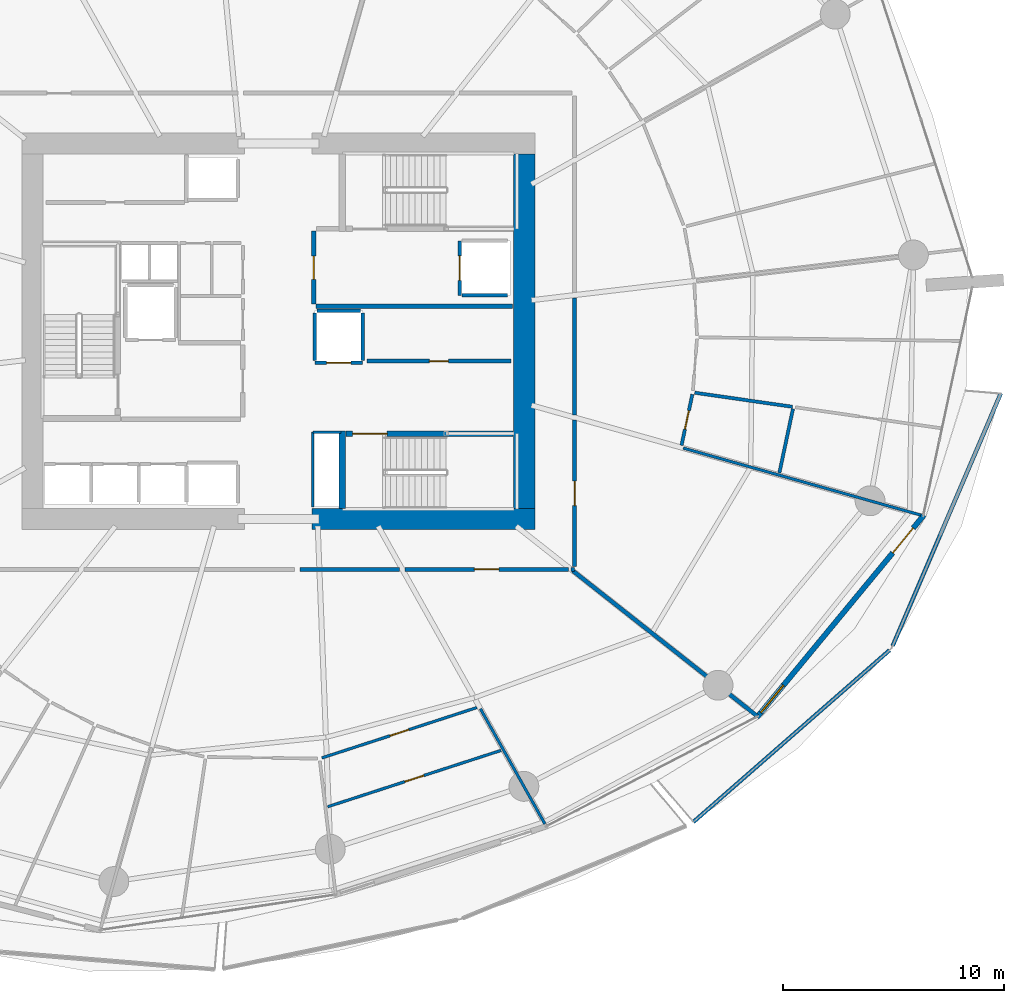
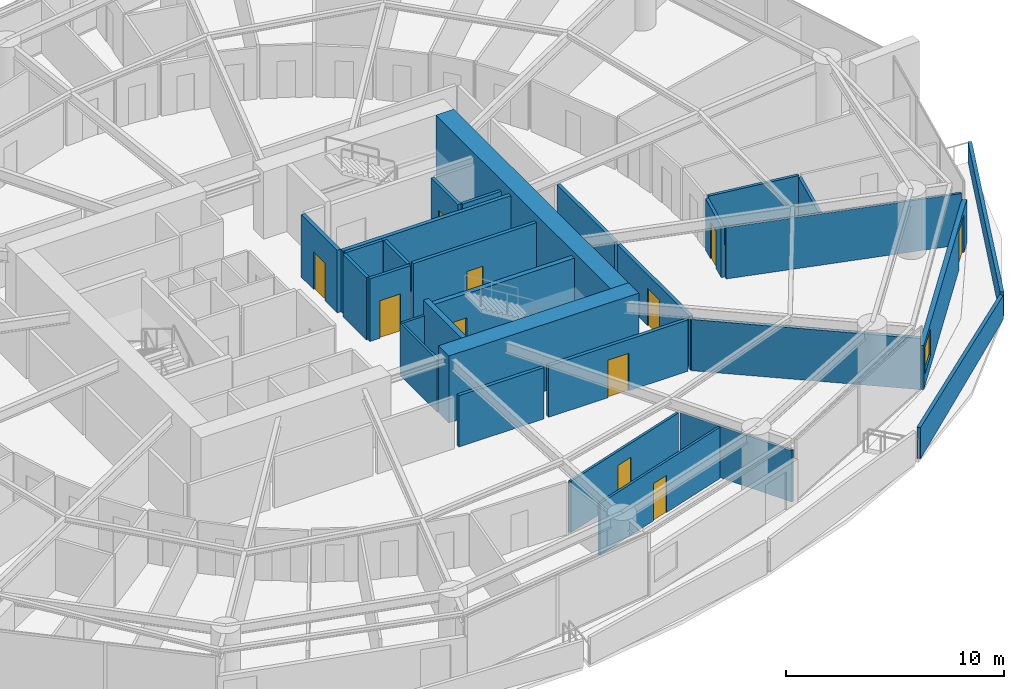
# One storey, part 21 of 31: 31 walls, 11 doors, 1 window, 12 openings.
"""IFC4 building model written with IfcOpenShell, lengths in metres."""

from ifc_helpers import new_model, si_unit, direction, frame, frame_2d, origin, place, context, subcontext, project, spatial, polyline, rectangle, outline, extrude, material, layer, layer_set, type_object, element, fill, save


model = new_model("IFC4")

# Units and contexts
model_context = context("Model", 3, precision=1e-05, world=origin(), true_north=direction((0.0, 1.0)))
body_context = subcontext(model_context, "Body", "Model", "MODEL_VIEW")
ifc_project = project(units=[si_unit("LENGTHUNIT", "METRE"), si_unit("AREAUNIT", "SQUARE_METRE"), si_unit("VOLUMEUNIT", "CUBIC_METRE"), si_unit("PLANEANGLEUNIT", "RADIAN"), si_unit("MASSUNIT", "GRAM", prefix="KILO")], contexts=[model_context])

# Site, building, storey
site_placement = place(None, origin())
site = spatial("IfcSite", under=ifc_project, at=site_placement, CompositionType="ELEMENT")
building_placement = place(site_placement, origin())
building = spatial("IfcBuilding", under=site, at=building_placement, Name="Kazma Halo Residences", CompositionType="ELEMENT")
storey_placement = place(building_placement, frame((0.0, 0.0, 41.39990234375)))
storey = spatial("IfcBuildingStorey", under=building, at=storey_placement, Name="L09", CompositionType="ELEMENT", Elevation=41.39990234375)

# Walls
ifc_material_1 = material(Name="White Concrete C50/60 Balustrade", Category="concrete")
ifc_layer_1 = layer(ifc_material_1, 0.179931640625)
ifc_layer_set_1 = layer_set([ifc_layer_1], Name="White Concrete C50/60 Balustrade")
wall_type_1 = type_object("IfcWallType", Name="WL-BAL-WAVE-180", PredefinedType="PARAPET", material=ifc_layer_set_1)
wall_1_placement = place(storey_placement, frame((67.162841796875, 19.8388671875, 0.0), z_axis=(0.0, 0.0, 1.0), x_axis=(0.752310783683, 0.658808382426, 0.0)))
element("IfcWall", 1, at=wall_1_placement, inside=storey, type_object=wall_type_1, Name="L09 white wave balustrade wall SE.1", PredefinedType="PARAPET", context=body_context, shape_type="SweptSolid", body=[
    extrude(outline(polyline([(0.0, 0.0), (11.77587890625, 0.0), (11.77587890625, 1.34814453125), (5.887939453125, 1.56201171875), (0.0, 1.7470703125), (0.0, 0.0)])), frame((0.0, 0.08984375, 0.0), z_axis=(0.0, -1.0, 0.0), x_axis=(1.0, 0.0, 0.0)), (0.0, 0.0, 1.0), 0.179931640625),
])
wall_2_placement = place(storey_placement, frame((76.159423828125, 27.786376953125, 0.0), z_axis=(0.0, 0.0, 1.0), x_axis=(0.393762615554, 0.919212164079, 0.0)))
element("IfcWall", 2, at=wall_2_placement, inside=storey, type_object=wall_type_1, Name="L09 white wave balustrade wall SE.2", PredefinedType="PARAPET", context=body_context, shape_type="SweptSolid", body=[
    extrude(outline(polyline([(0.0, 0.0), (12.412109375, 0.0), (12.412109375, 1.1201171875), (6.2060546875, 1.18212890625), (0.0, 1.34814453125), (0.0, 0.0)])), frame((0.0, 0.08984375, 0.0), z_axis=(0.0, -1.0, 0.0), x_axis=(1.0, 0.0, 0.0)), (0.0, 0.0, 1.0), 0.179931640625),
])
ifc_material_2 = material(Name="Concrete C80/95", Category="concrete")
ifc_layer_2 = layer(ifc_material_2, 0.949951171875)
ifc_layer_set_2 = layer_set([ifc_layer_2], Name="Concrete C80/95")
wall_type_2 = type_object("IfcWallType", Name="WL-CORE-950", PredefinedType="SHEAR", material=ifc_layer_set_2)
wall_3_placement = place(storey_placement, frame((49.949951171875, 33.52490234375, 0.0), z_axis=(0.0, 0.0, 1.0), x_axis=(1.0, 0.0, 0.0)))
element("IfcWall", 3, at=wall_3_placement, inside=storey, type_object=wall_type_2, Name="L09 central core shear wall SE", PredefinedType="SHEAR", context=body_context, shape_type="SweptSolid", body=[
    extrude(rectangle(XDim=10.050048828125, YDim=0.949951171875, at=frame_2d((5.02490234375, 0.0))), origin(), (0.0, 0.0, 1.0), 3.75),
])
wall_4_placement = place(storey_placement, frame((59.52490234375, 34.0, 0.0), z_axis=(0.0, 0.0, 1.0), x_axis=(0.0, 1.0, 0.0)))
element("IfcWall", 4, at=wall_4_placement, inside=storey, type_object=wall_type_2, Name="L09 central core shear wall E", PredefinedType="SHEAR", context=body_context, shape_type="SweptSolid", body=[
    extrude(rectangle(XDim=16.0, YDim=0.949951171875, at=frame_2d((8.0, 0.0))), origin(), (0.0, 0.0, 1.0), 3.75),
])
ifc_material_3 = material(Name="Concrete C60/75", Category="concrete")
ifc_layer_3 = layer(ifc_material_3, 0.280029296875)
ifc_layer_set_3 = layer_set([ifc_layer_3], Name="Concrete C60/75")
wall_type_3 = type_object("IfcWallType", Name="WL-CORE-ST-280", PredefinedType="SHEAR", material=ifc_layer_set_3)
wall_5_placement = place(storey_placement, frame((51.31005859375, 34.0, 0.0), z_axis=(0.0, 0.0, 1.0), x_axis=(0.0, 1.0, 0.0)))
element("IfcWall", 5, at=wall_5_placement, inside=storey, type_object=wall_type_3, Name="L09 stairwell bearing wall ST03-W", PredefinedType="SHEAR", context=body_context, shape_type="SweptSolid", body=[
    extrude(rectangle(XDim=3.5, YDim=0.280029296875, at=frame_2d((1.75, 0.0))), origin(), (0.0, 0.0, 1.0), 3.75),
])
ifc_material_4 = material(Name="Acoustic Twin-Stud Gypsum")
ifc_layer_4 = layer(ifc_material_4, 0.179931640625)
ifc_layer_set_4 = layer_set([ifc_layer_4], Name="Acoustic Twin-Stud Gypsum")
wall_type_4 = type_object("IfcWallType", Name="WL-DEM-180", PredefinedType="PARTITIONING", material=ifc_layer_set_4)
wall_6_placement = place(storey_placement, frame((61.72265625, 31.181884765625, 0.0), z_axis=(0.0, 0.0, 1.0), x_axis=(0.785321288316, -0.619088421889, 0.0)))
element("IfcWall", 6, at=wall_6_placement, inside=storey, type_object=wall_type_4, Name="L09 apartment demising radial wall 13", PredefinedType="PARTITIONING", context=body_context, shape_type="SweptSolid", body=[
    extrude(rectangle(XDim=10.597900390625, YDim=0.179931640625, at=frame_2d((5.298828125, 0.0))), origin(), (0.0, 0.0, 1.0), 2.8671875),
])

# Wall, opening, door
wall_7_placement = place(storey_placement, frame((54.140380859375, 31.25, 0.0), z_axis=(0.0, 0.0, 1.0), x_axis=(1.0, 0.0, 0.0)))
wall_7 = element("IfcWall", 7, at=wall_7_placement, inside=storey, type_object=wall_type_4, Name="L09 Apartment 2 entrance corridor wall", PredefinedType="PARTITIONING", context=body_context, shape_type="SweptSolid", body=[
    extrude(rectangle(XDim=7.3759765625, YDim=0.179931640625, at=frame_2d((3.68798828125, 0.0))), origin(), (0.0, 0.0, 1.0), 2.8671875),
])
opening_1_placement = place(wall_7_placement, frame((3.137939453125, 0.0, 0.0)))
opening_1 = element("IfcOpeningElement", 8, at=opening_1_placement, cuts=wall_7, Name="Opening DA-1100", PredefinedType="OPENING", context=body_context, shape_type="SweptSolid", body=[
    extrude(rectangle(XDim=1.10009765625, YDim=2.10009765625, at=frame_2d((0.550048828125, 1.050048828125))), frame((0.0, 0.099853515625, 0.0), z_axis=(0.0, -1.0, 0.0), x_axis=(1.0, 0.0, 0.0)), (0.0, 0.0, 1.0), 0.199951171875),
])
ifc_material_5 = material(Name="Acoustic Walnut Fire Leaf")
door_type_1 = type_object("IfcDoorType", Name="DR-FD60-1100", OperationType="NOTDEFINED", PredefinedType="DOOR", material=ifc_material_5)
door_1_placement = place(opening_1_placement, origin())
door_1 = element("IfcDoor", 9, at=door_1_placement, inside=storey, type_object=door_type_1, Name="L09 Apartment 2 entrance fire door", OperationType="SINGLE_SWING_RIGHT", OverallHeight=2.10009765625, OverallWidth=1.10009765625, PredefinedType="DOOR", context=body_context, shape_type="SweptSolid", body=[
    extrude(rectangle(XDim=1.10009765625, YDim=2.10009765625, at=frame_2d((0.550048828125, 1.050048828125))), frame((0.0, 0.02490234375, 0.0), z_axis=(0.0, -1.0, 0.0), x_axis=(1.0, 0.0, 0.0)), (0.0, 0.0, 1.0), 0.050048828125),
])
fill(opening_1, door_1)

# Walls
wall_8_placement = place(storey_placement, frame((49.392333984375, 31.25, 0.0), z_axis=(0.0, 0.0, 1.0), x_axis=(1.0, 0.0, 0.0)))
element("IfcWall", 10, at=wall_8_placement, inside=storey, type_object=wall_type_4, Name="L09 Apartment 2 inner wall 11", PredefinedType="PARTITIONING", context=body_context, shape_type="SweptSolid", body=[
    extrude(rectangle(XDim=4.508056640625, YDim=0.179931640625, at=frame_2d((2.25390625, 0.0))), origin(), (0.0, 0.0, 1.0), 2.8671875),
])
wall_9_placement = place(storey_placement, frame((61.63623046875, 31.25, 0.0), z_axis=(0.0, 0.0, 1.0), x_axis=(1.0, 0.0, 0.0)))
element("IfcWall", 11, at=wall_9_placement, inside=storey, type_object=wall_type_4, Name="L09 Apartment 3 entrance corridor wall", PredefinedType="PARTITIONING", context=body_context, shape_type="SweptSolid", body=[
    extrude(rectangle(XDim=0.163818359375, YDim=0.179931640625, at=frame_2d((0.08203125, 0.0))), origin(), (0.0, 0.0, 1.0), 2.8671875),
])

# Wall, opening, door
wall_10_placement = place(storey_placement, frame((61.800048828125, 31.3701171875, 0.0), z_axis=(0.0, 0.0, 1.0), x_axis=(0.0, 1.0, 0.0)))
wall_10 = element("IfcWall", 12, at=wall_10_placement, inside=storey, type_object=wall_type_4, Name="L09 Apartment 3 entrance corridor wall", PredefinedType="PARTITIONING", context=body_context, shape_type="SweptSolid", body=[
    extrude(rectangle(XDim=6.617919921875, YDim=0.179931640625, at=frame_2d((3.30908203125, 0.0))), origin(), (0.0, 0.0, 1.0), 2.8671875),
])
opening_2_placement = place(wall_10_placement, frame((2.759033203125, 0.0, 0.0)))
opening_2 = element("IfcOpeningElement", 13, at=opening_2_placement, cuts=wall_10, Name="Opening DA-1100", PredefinedType="OPENING", context=body_context, shape_type="SweptSolid", body=[
    extrude(rectangle(XDim=1.10009765625, YDim=2.10009765625, at=frame_2d((0.550048828125, 1.050048828125))), frame((0.0, 0.099853515625, 0.0), z_axis=(0.0, -1.0, 0.0), x_axis=(1.0, 0.0, 0.0)), (0.0, 0.0, 1.0), 0.199951171875),
])
door_2_placement = place(opening_2_placement, origin())
door_2 = element("IfcDoor", 14, at=door_2_placement, inside=storey, type_object=door_type_1, Name="L09 Apartment 3 entrance fire door", OperationType="SINGLE_SWING_LEFT", OverallHeight=2.10009765625, OverallWidth=1.10009765625, PredefinedType="DOOR", context=body_context, shape_type="SweptSolid", body=[
    extrude(rectangle(XDim=1.10009765625, YDim=2.10009765625, at=frame_2d((0.550048828125, 1.050048828125))), frame((0.0, 0.02490234375, 0.0), z_axis=(0.0, -1.0, 0.0), x_axis=(1.0, 0.0, 0.0)), (0.0, 0.0, 1.0), 0.050048828125),
])
fill(opening_2, door_2)

# Wall
wall_11_placement = place(storey_placement, frame((61.800048828125, 38.22802734375, 0.0), z_axis=(0.0, 0.0, 1.0), x_axis=(0.0, 1.0, 0.0)))
element("IfcWall", 15, at=wall_11_placement, inside=storey, type_object=wall_type_4, Name="L09 Apartment 3 inner wall 14", PredefinedType="PARTITIONING", context=body_context, shape_type="SweptSolid", body=[
    extrude(rectangle(XDim=5.28515625, YDim=0.179931640625, at=frame_2d((2.642578125, 0.0))), origin(), (0.0, 0.0, 1.0), 2.8671875),
])

# Wall, openings, door, window
ifc_material_6 = material(Name="Insulated Pale-Metal Composite Wall")
ifc_layer_5 = layer(ifc_material_6, 0.239990234375)
ifc_layer_set_5 = layer_set([ifc_layer_5], Name="Insulated Pale-Metal Composite Wall")
wall_type_5 = type_object("IfcWallType", Name="WL-EXT-HOST-240", PredefinedType="SOLIDWALL", material=ifc_layer_set_5)
wall_12_placement = place(storey_placement, frame((70.033203125, 24.566650390625, 0.0), z_axis=(0.0, 0.0, 1.0), x_axis=(0.636674332663, 0.771132799281, 0.0)))
wall_12 = element("IfcWall", 16, at=wall_12_placement, inside=storey, type_object=wall_type_5, Name="L09 exterior terrace-access wall B14", PredefinedType="SOLIDWALL", context=body_context, shape_type="SweptSolid", body=[
    extrude(rectangle(XDim=11.851318359375, YDim=0.239990234375, at=frame_2d((5.92578125, 0.0))), origin(), (0.0, 0.0, 1.0), 2.4501953125),
])
opening_3_placement = place(wall_12_placement, frame((9.631103515625, 0.0, 0.0)))
opening_3 = element("IfcOpeningElement", 17, at=opening_3_placement, cuts=wall_12, Name="Opening DTR-1600", PredefinedType="OPENING", context=body_context, shape_type="SweptSolid", body=[
    extrude(rectangle(XDim=1.449951171875, YDim=2.14990234375, at=frame_2d((0.72509765625, 1.074951171875))), frame((0.0, 0.1298828125, 0.0), z_axis=(0.0, -1.0, 0.0), x_axis=(1.0, 0.0, 0.0)), (0.0, 0.0, 1.0), 0.260009765625),
])
opening_4_placement = place(wall_12_placement, frame((0.280029296875, 0.0, 0.64990234375)))
opening_4 = element("IfcOpeningElement", 18, at=opening_4_placement, cuts=wall_12, Name="Opening W-1800", PredefinedType="OPENING", context=body_context, shape_type="SweptSolid", body=[
    extrude(rectangle(XDim=1.60009765625, YDim=1.5, at=frame_2d((0.800048828125, 0.75))), frame((0.0, 0.1298828125, 0.0), z_axis=(0.0, -1.0, 0.0), x_axis=(1.0, 0.0, 0.0)), (0.0, 0.0, 1.0), 0.260009765625),
])
ifc_material_7 = material(Name="Aluminium AW-6063 T6 Double-Glazed Terrace Door", Category="aluminium")
door_type_2 = type_object("IfcDoorType", Name="DR-EXT-TERR-1600", OperationType="NOTDEFINED", PredefinedType="DOOR", material=ifc_material_7)
door_3_placement = place(opening_3_placement, origin())
door_3 = element("IfcDoor", 19, at=door_3_placement, inside=storey, type_object=door_type_2, Name="L09 B14 balcony terrace door", OperationType="DOUBLE_DOOR_SLIDING", OverallHeight=2.14990234375, OverallWidth=1.449951171875, PredefinedType="DOOR", context=body_context, shape_type="SweptSolid", body=[
    extrude(rectangle(XDim=1.449951171875, YDim=2.14990234375, at=frame_2d((0.72509765625, 1.074951171875))), frame((0.0, 0.02490234375, 0.0), z_axis=(0.0, -1.0, 0.0), x_axis=(1.0, 0.0, 0.0)), (0.0, 0.0, 1.0), 0.050048828125),
])
fill(opening_3, door_3)
ifc_material_8 = material(Name="Clear Triple-Silver Low-E Glass in Aluminium AW-6063 T6 Frame", Category="aluminium")
window_type = type_object("IfcWindowType", Name="WIN-RES-1800", PartitioningType="DOUBLE_PANEL_VERTICAL", PredefinedType="WINDOW", material=ifc_material_8)
window_placement = place(opening_4_placement, origin())
window = element("IfcWindow", 20, at=window_placement, inside=storey, type_object=window_type, Name="L09 B14 apartment window", OverallHeight=1.5, OverallWidth=1.60009765625, PartitioningType="SINGLE_PANEL", PredefinedType="WINDOW", context=body_context, shape_type="SweptSolid", body=[
    extrude(rectangle(XDim=1.60009765625, YDim=1.5, at=frame_2d((0.800048828125, 0.75))), frame((0.0, 0.030029296875, 0.0), z_axis=(0.0, -1.0, 0.0), x_axis=(1.0, 0.0, 0.0)), (0.0, 0.0, 1.0), 0.06005859375),
])
fill(opening_4, window)

# Wall, opening, door
ifc_material_9 = material(Name="Fire-Rated Blockwork Masonry", Category="masonry")
ifc_layer_6 = layer(ifc_material_9, 0.199951171875)
ifc_layer_set_6 = layer_set([ifc_layer_6], Name="Fire-Rated Blockwork Masonry")
wall_type_6 = type_object("IfcWallType", Name="WL-FLB-200", PredefinedType="PARTITIONING", material=ifc_layer_set_6)
wall_13_placement = place(storey_placement, frame((56.6201171875, 46.080078125, 0.0), z_axis=(0.0, 0.0, 1.0), x_axis=(0.0, -1.0, 0.0)))
wall_13 = element("IfcWall", 21, at=wall_13_placement, inside=storey, type_object=wall_type_6, Name="L09 lift shaft FL-02 front wall", PredefinedType="PARTITIONING", context=body_context, shape_type="SweptSolid", body=[
    extrude(rectangle(XDim=2.4599609375, YDim=0.159912109375, at=frame_2d((1.22998046875, 0.0))), origin(), (0.0, 0.0, 1.0), 3.5),
])
opening_5_placement = place(wall_13_placement, frame((0.679931640625, 0.0, 0.0)))
opening_5 = element("IfcOpeningElement", 22, at=opening_5_placement, cuts=wall_13, Name="Opening LD-FL-02", PredefinedType="OPENING", context=body_context, shape_type="SweptSolid", body=[
    extrude(rectangle(XDim=1.10009765625, YDim=2.10009765625, at=frame_2d((0.550048828125, 1.050048828125))), frame((0.0, 0.08984375, 0.0), z_axis=(0.0, -1.0, 0.0), x_axis=(1.0, 0.0, 0.0)), (0.0, 0.0, 1.0), 0.179931640625),
])
ifc_material_10 = material(Name="Stainless Steel Fire-Rated", Category="steel")
door_type_3 = type_object("IfcDoorType", Name="DR-LIFT-SLD-1100", OperationType="DOUBLE_DOOR_SLIDING", PredefinedType="DOOR", material=ifc_material_10)
door_4_placement = place(opening_5_placement, origin())
door_4 = element("IfcDoor", 23, at=door_4_placement, inside=storey, type_object=door_type_3, Name="L09 lift FL-02 sliding landing door", OperationType="DOUBLE_DOOR_SLIDING", OverallHeight=2.10009765625, OverallWidth=1.10009765625, PredefinedType="DOOR", context=body_context, shape_type="SweptSolid", body=[
    extrude(rectangle(XDim=1.10009765625, YDim=2.10009765625, at=frame_2d((0.550048828125, 1.050048828125))), frame((0.0, 0.02490234375, 0.0), z_axis=(0.0, -1.0, 0.0), x_axis=(1.0, 0.0, 0.0)), (0.0, 0.0, 1.0), 0.050048828125),
])
fill(opening_5, door_4)

# Wall
wall_14_placement = place(storey_placement, frame((56.719970703125, 43.6201171875, 0.0), z_axis=(0.0, 0.0, 1.0), x_axis=(1.0, 0.0, 0.0)))
element("IfcWall", 24, at=wall_14_placement, inside=storey, type_object=wall_type_6, Name="L09 lift shaft FL-02 side wall S", PredefinedType="PARTITIONING", context=body_context, shape_type="SweptSolid", body=[
    extrude(rectangle(XDim=2.06005859375, YDim=0.159912109375, at=frame_2d((1.030029296875, 0.0))), origin(), (0.0, 0.0, 1.0), 3.5),
])

# Wall, opening, door
wall_15_placement = place(storey_placement, frame((52.22998046875, 40.570068359375, 0.0), z_axis=(0.0, 0.0, 1.0), x_axis=(-1.0, 0.0, 0.0)))
wall_15 = element("IfcWall", 25, at=wall_15_placement, inside=storey, type_object=wall_type_6, Name="L09 lift shaft SV-01 front wall", PredefinedType="PARTITIONING", context=body_context, shape_type="SweptSolid", body=[
    extrude(rectangle(XDim=2.159912109375, YDim=0.159912109375, at=frame_2d((1.080078125, 0.0))), origin(), (0.0, 0.0, 1.0), 3.5),
])
opening_6_placement = place(wall_15_placement, frame((0.530029296875, 0.0, 0.0)))
opening_6 = element("IfcOpeningElement", 26, at=opening_6_placement, cuts=wall_15, Name="Opening LD-SV-01", PredefinedType="OPENING", context=body_context, shape_type="SweptSolid", body=[
    extrude(rectangle(XDim=1.10009765625, YDim=2.10009765625, at=frame_2d((0.550048828125, 1.050048828125))), frame((0.0, 0.08984375, 0.0), z_axis=(0.0, -1.0, 0.0), x_axis=(1.0, 0.0, 0.0)), (0.0, 0.0, 1.0), 0.179931640625),
])
door_5_placement = place(opening_6_placement, origin())
door_5 = element("IfcDoor", 27, at=door_5_placement, inside=storey, type_object=door_type_3, Name="L09 lift SV-01 sliding landing door", OperationType="DOUBLE_DOOR_SLIDING", OverallHeight=2.10009765625, OverallWidth=1.10009765625, PredefinedType="DOOR", context=body_context, shape_type="SweptSolid", body=[
    extrude(rectangle(XDim=1.10009765625, YDim=2.10009765625, at=frame_2d((0.550048828125, 1.050048828125))), frame((0.0, 0.02490234375, 0.0), z_axis=(0.0, -1.0, 0.0), x_axis=(1.0, 0.0, 0.0)), (0.0, 0.0, 1.0), 0.050048828125),
])
fill(opening_6, door_5)

# Walls
for number, where, z_axis, x_axis, name in (
    (28, (52.22998046875, 40.669921875, 0.0), (0.0, 0.0, 1.0), (0.0, 1.0, 0.0), "L09 lift shaft SV-01 side wall E"),
    (29, (50.070068359375, 40.669921875, 0.0), (0.0, 0.0, 1.0), (0.0, 1.0, 0.0), "L09 lift shaft SV-01 side wall W"),
):
    element("IfcWall", number, at=place(storey_placement, frame(where, z_axis=z_axis, x_axis=x_axis)), inside=storey, type_object=wall_type_6, Name=name, PredefinedType="PARTITIONING", context=body_context, shape_type="SweptSolid", body=[
        extrude(rectangle(XDim=2.16015625, YDim=0.159912109375, at=frame_2d((1.080078125, 0.0))), origin(), (0.0, 0.0, 1.0), 3.5),
    ])
wall_16_placement = place(storey_placement, frame((50.169921875, 42.929931640625, 0.0), z_axis=(0.0, 0.0, 1.0), x_axis=(1.0, 0.0, 0.0)))
element("IfcWall", 30, at=wall_16_placement, inside=storey, type_object=wall_type_6, Name="L09 lift shaft SV-01 side wall N", PredefinedType="PARTITIONING", context=body_context, shape_type="SweptSolid", body=[
    extrude(rectangle(XDim=1.9599609375, YDim=0.159912109375, at=frame_2d((0.97998046875, 0.0))), origin(), (0.0, 0.0, 1.0), 3.5),
])

# Wall, opening, door
wall_17_placement = place(storey_placement, frame((52.419921875, 40.64990234375, 0.0), z_axis=(0.0, 0.0, 1.0), x_axis=(1.0, 0.0, 0.0)))
wall_17 = element("IfcWall", 31, at=wall_17_placement, inside=storey, type_object=wall_type_6, Name="L09 core east reserve wall", PredefinedType="PARTITIONING", context=body_context, shape_type="SweptSolid", body=[
    extrude(rectangle(XDim=6.5, YDim=0.179931640625, at=frame_2d((3.25, 0.0))), origin(), (0.0, 0.0, 1.0), 3.5),
])
opening_7_placement = place(wall_17_placement, frame((2.824951171875, 0.0, 0.0)))
opening_7 = element("IfcOpeningElement", 32, at=opening_7_placement, cuts=wall_17, Name="Opening DS-850", PredefinedType="OPENING", context=body_context, shape_type="SweptSolid", body=[
    extrude(rectangle(XDim=0.85009765625, YDim=2.06005859375, at=frame_2d((0.425048828125, 1.030029296875))), frame((0.0, 0.099853515625, 0.0), z_axis=(0.0, -1.0, 0.0), x_axis=(1.0, 0.0, 0.0)), (0.0, 0.0, 1.0), 0.199951171875),
])
ifc_material_11 = material(Name="Painted Steel Access Leaf", Category="steel")
door_type_4 = type_object("IfcDoorType", Name="DR-SVC-850", OperationType="NOTDEFINED", PredefinedType="DOOR", material=ifc_material_11)
door_6_placement = place(opening_7_placement, origin())
door_6 = element("IfcDoor", 33, at=door_6_placement, inside=storey, type_object=door_type_4, Name="L09 core east reserve door", OperationType="SINGLE_SWING_RIGHT", OverallHeight=2.06005859375, OverallWidth=0.85009765625, PredefinedType="DOOR", context=body_context, shape_type="SweptSolid", body=[
    extrude(rectangle(XDim=0.85009765625, YDim=2.06005859375, at=frame_2d((0.425048828125, 1.030029296875))), frame((0.0, 0.02490234375, 0.0), z_axis=(0.0, -1.0, 0.0), x_axis=(1.0, 0.0, 0.0)), (0.0, 0.0, 1.0), 0.050048828125),
])
fill(opening_7, door_6)

# Wall
wall_18_placement = place(storey_placement, frame((50.1201171875, 43.1201171875, 0.0), z_axis=(0.0, 0.0, 1.0), x_axis=(1.0, 0.0, 0.0)))
element("IfcWall", 34, at=wall_18_placement, inside=storey, type_object=wall_type_6, Name="L09 east firefighting lobby south smoke wall", PredefinedType="PARTITIONING", context=body_context, shape_type="SweptSolid", body=[
    extrude(rectangle(XDim=8.8798828125, YDim=0.199951171875, at=frame_2d((4.43994140625, 0.0))), origin(), (0.0, 0.0, 1.0), 3.5),
])

# Wall, opening, door
wall_19_placement = place(storey_placement, frame((50.02001953125, 43.219970703125, 0.0), z_axis=(0.0, 0.0, 1.0), x_axis=(0.0, 1.0, 0.0)))
wall_19 = element("IfcWall", 35, at=wall_19_placement, inside=storey, type_object=wall_type_6, Name="L09 east firefighting lobby smoke wall", PredefinedType="PARTITIONING", context=body_context, shape_type="SweptSolid", body=[
    extrude(rectangle(XDim=3.300048828125, YDim=0.199951171875, at=frame_2d((1.64990234375, 0.0))), origin(), (0.0, 0.0, 1.0), 3.5),
])
opening_8_placement = place(wall_19_placement, frame((1.125, 0.0, 0.0)))
opening_8 = element("IfcOpeningElement", 36, at=opening_8_placement, cuts=wall_19, Name="Opening D-FLE", PredefinedType="OPENING", context=body_context, shape_type="SweptSolid", body=[
    extrude(rectangle(XDim=1.050048828125, YDim=2.10009765625, at=frame_2d((0.52490234375, 1.050048828125))), frame((0.0, 0.10986328125, 0.0), z_axis=(0.0, -1.0, 0.0), x_axis=(1.0, 0.0, 0.0)), (0.0, 0.0, 1.0), 0.219970703125),
])
ifc_material_12 = material(Name="Fire-Rated Steel Leaf", Category="steel")
door_type_5 = type_object("IfcDoorType", Name="DR-FD90-1050", OperationType="NOTDEFINED", PredefinedType="DOOR", material=ifc_material_12)
door_7_placement = place(opening_8_placement, origin())
door_7 = element("IfcDoor", 37, at=door_7_placement, inside=storey, type_object=door_type_5, Name="L09 east firefighting lobby smoke door", OperationType="SINGLE_SWING_LEFT", OverallHeight=2.10009765625, OverallWidth=1.050048828125, PredefinedType="DOOR", context=body_context, shape_type="SweptSolid", body=[
    extrude(rectangle(XDim=1.050048828125, YDim=2.10009765625, at=frame_2d((0.52490234375, 1.050048828125))), frame((0.0, 0.02490234375, 0.0), z_axis=(0.0, -1.0, 0.0), x_axis=(1.0, 0.0, 0.0)), (0.0, 0.0, 1.0), 0.050048828125),
])
fill(opening_8, door_7)

# Walls
ifc_material_13 = material(Name="Gypsum Plasterboard Partition")
ifc_layer_7 = layer(ifc_material_13, 0.125)
ifc_layer_set_7 = layer_set([ifc_layer_7], Name="Gypsum Plasterboard Partition")
wall_type_7 = type_object("IfcWallType", Name="WL-PART-125", PredefinedType="PARTITIONING", material=ifc_layer_set_7)
wall_20_placement = place(storey_placement, frame((49.97998046875, 34.06005859375, 0.0), z_axis=(0.0, 0.0, 1.0), x_axis=(0.0, 1.0, 0.0)))
element("IfcWall", 38, at=wall_20_placement, inside=storey, type_object=wall_type_7, Name="L09 standpipe riser wall", PredefinedType="PARTITIONING", context=body_context, shape_type="SweptSolid", body=[
    extrude(rectangle(XDim=3.39990234375, YDim=0.125, at=frame_2d((1.699951171875, 0.0))), origin(), (0.0, 0.0, 1.0), 2.940185546875),
])
wall_21_placement = place(storey_placement, frame((49.97998046875, 37.43994140625, 0.0), z_axis=(0.0, 0.0, 1.0), x_axis=(1.0, 0.0, 0.0)))
element("IfcWall", 39, at=wall_21_placement, inside=storey, type_object=wall_type_7, Name="L09 standpipe riser north wall", PredefinedType="PARTITIONING", context=body_context, shape_type="SweptSolid", body=[
    extrude(rectangle(XDim=1.260009765625, YDim=0.125, at=frame_2d((0.6298828125, 0.0))), origin(), (0.0, 0.0, 1.0), 2.940185546875),
])
wall_22_placement = place(storey_placement, frame((57.544921875, 24.956787109375, 0.0), z_axis=(0.0, 0.0, 1.0), x_axis=(0.488592145891, -0.872512300758, 0.0)))
element("IfcWall", 40, at=wall_22_placement, inside=storey, type_object=wall_type_7, Name="L09 Apartment 2 living radial partition 11", PredefinedType="PARTITIONING", context=body_context, shape_type="SweptSolid", body=[
    extrude(rectangle(XDim=5.961669921875, YDim=0.125, at=frame_2d((2.98095703125, 0.0))), origin(), (0.0, 0.0, 1.0), 2.8671875),
])

# Wall, opening, door
wall_23_placement = place(storey_placement, frame((50.388916015625, 22.734619140625, 0.0), z_axis=(0.0, 0.0, 1.0), x_axis=(0.951050149939, 0.309036587317, 0.0)))
wall_23 = element("IfcWall", 41, at=wall_23_placement, inside=storey, type_object=wall_type_7, Name="L09 Apartment 2 Outer Study hall wall", PredefinedType="PARTITIONING", context=body_context, shape_type="SweptSolid", body=[
    extrude(rectangle(XDim=7.36279296875, YDim=0.125, at=frame_2d((3.681396484375, 0.0))), origin(), (0.0, 0.0, 1.0), 2.8671875),
])
opening_9_placement = place(wall_23_placement, frame((3.2314453125, 0.0, 0.0)))
opening_9 = element("IfcOpeningElement", 42, at=opening_9_placement, cuts=wall_23, Name="Opening DI-950", PredefinedType="OPENING", context=body_context, shape_type="SweptSolid", body=[
    extrude(rectangle(XDim=0.89990234375, YDim=2.080078125, at=frame_2d((0.449951171875, 1.0400390625))), frame((0.0, 0.072509765625, 0.0), z_axis=(0.0, -1.0, 0.0), x_axis=(1.0, 0.0, 0.0)), (0.0, 0.0, 1.0), 0.14501953125),
])
ifc_material_14 = material(Name="Timber Veneer Flush Leaf", Category="wood")
door_type_6 = type_object("IfcDoorType", Name="DR-INT-950", OperationType="NOTDEFINED", PredefinedType="DOOR", material=ifc_material_14)
door_8_placement = place(opening_9_placement, origin())
door_8 = element("IfcDoor", 43, at=door_8_placement, inside=storey, type_object=door_type_6, Name="L09 Apartment 2 Outer Study door", OperationType="SINGLE_SWING_LEFT", OverallHeight=2.080078125, OverallWidth=0.89990234375, PredefinedType="DOOR", context=body_context, shape_type="SweptSolid", body=[
    extrude(rectangle(XDim=0.89990234375, YDim=2.080078125, at=frame_2d((0.449951171875, 1.0400390625))), frame((0.0, 0.02490234375, 0.0), z_axis=(0.0, -1.0, 0.0), x_axis=(1.0, 0.0, 0.0)), (0.0, 0.0, 1.0), 0.050048828125),
])
fill(opening_9, door_8)

wall_24_placement = place(storey_placement, frame((50.64990234375, 20.530029296875, 0.0), z_axis=(0.0, 0.0, 1.0), x_axis=(0.951053253308, 0.309027036638, 0.0)))
wall_24 = element("IfcWall", 44, at=wall_24_placement, inside=storey, type_object=wall_type_7, Name="L09 Apartment 2 Corner Bedroom divider wall", PredefinedType="PARTITIONING", context=body_context, shape_type="SweptSolid", body=[
    extrude(rectangle(XDim=8.22900390625, YDim=0.125, at=frame_2d((4.114501953125, 0.0))), origin(), (0.0, 0.0, 1.0), 2.8671875),
])
opening_10_placement = place(wall_24_placement, frame((3.66455078125, 0.0, 0.0)))
opening_10 = element("IfcOpeningElement", 45, at=opening_10_placement, cuts=wall_24, Name="Opening DI-950", PredefinedType="OPENING", context=body_context, shape_type="SweptSolid", body=[
    extrude(rectangle(XDim=0.89990234375, YDim=2.080078125, at=frame_2d((0.449951171875, 1.0400390625))), frame((0.0, 0.072509765625, 0.0), z_axis=(0.0, -1.0, 0.0), x_axis=(1.0, 0.0, 0.0)), (0.0, 0.0, 1.0), 0.14501953125),
])
door_9_placement = place(opening_10_placement, origin())
door_9 = element("IfcDoor", 46, at=door_9_placement, inside=storey, type_object=door_type_6, Name="L09 Apartment 2 Corner Bedroom door", OperationType="SINGLE_SWING_RIGHT", OverallHeight=2.080078125, OverallWidth=0.89990234375, PredefinedType="DOOR", context=body_context, shape_type="SweptSolid", body=[
    extrude(rectangle(XDim=0.89990234375, YDim=2.080078125, at=frame_2d((0.449951171875, 1.0400390625))), frame((0.0, 0.02490234375, 0.0), z_axis=(0.0, -1.0, 0.0), x_axis=(1.0, 0.0, 0.0)), (0.0, 0.0, 1.0), 0.050048828125),
])
fill(opening_10, door_9)

# Wall
wall_25_placement = place(storey_placement, frame((66.703369140625, 36.72509765625, 0.0), z_axis=(0.0, 0.0, 1.0), x_axis=(0.962456868727, -0.271434662195, 0.0)))
element("IfcWall", 47, at=wall_25_placement, inside=storey, type_object=wall_type_7, Name="L09 Apartment 3 radial partition 14", PredefinedType="PARTITIONING", context=body_context, shape_type="SweptSolid", body=[
    extrude(rectangle(XDim=11.141357421875, YDim=0.125, at=frame_2d((5.57080078125, 0.0))), origin(), (0.0, 0.0, 1.0), 2.8671875),
])

# Wall, opening, door
ifc_material_15 = material(Name="Concrete C50/60", Category="concrete")
ifc_layer_8 = layer(ifc_material_15, 0.25)
ifc_layer_set_8 = layer_set([ifc_layer_8], Name="Concrete C50/60")
wall_type_8 = type_object("IfcWallType", Name="WL-SHF-250", PredefinedType="SOLIDWALL", material=ifc_layer_set_8)
wall_26_placement = place(storey_placement, frame((51.47998046875, 37.3798828125, 0.0), z_axis=(0.0, 0.0, 1.0), x_axis=(1.0, 0.0, 0.0)))
wall_26 = element("IfcWall", 48, at=wall_26_placement, inside=storey, type_object=wall_type_8, Name="L09 exit stair ST-03 enclosure wall", PredefinedType="SOLIDWALL", context=body_context, shape_type="SweptSolid", body=[
    extrude(rectangle(XDim=7.5400390625, YDim=0.25, at=frame_2d((3.77001953125, 0.0))), origin(), (0.0, 0.0, 1.0), 3.5),
])
opening_11_placement = place(wall_26_placement, frame((0.300048828125, 0.0, 0.0)))
opening_11 = element("IfcOpeningElement", 49, at=opening_11_placement, cuts=wall_26, Name="Opening D-ST3", PredefinedType="OPENING", context=body_context, shape_type="SweptSolid", body=[
    extrude(rectangle(XDim=1.550048828125, YDim=2.14990234375, at=frame_2d((0.77490234375, 1.074951171875))), frame((0.0, 0.135009765625, 0.0), z_axis=(0.0, -1.0, 0.0), x_axis=(1.0, 0.0, 0.0)), (0.0, 0.0, 1.0), 0.27001953125),
])
ifc_material_16 = material(Name="Fire-Rated Double Steel Leaf", Category="steel")
door_type_7 = type_object("IfcDoorType", Name="DR-FD90-1550", OperationType="NOTDEFINED", PredefinedType="DOOR", material=ifc_material_16)
door_10_placement = place(opening_11_placement, origin())
door_10 = element("IfcDoor", 50, at=door_10_placement, inside=storey, type_object=door_type_7, Name="L09 exit stair ST-03 fire door", OperationType="DOUBLE_DOOR_SINGLE_SWING", OverallHeight=2.14990234375, OverallWidth=1.550048828125, PredefinedType="DOOR", context=body_context, shape_type="SweptSolid", body=[
    extrude(rectangle(XDim=1.550048828125, YDim=2.14990234375, at=frame_2d((0.77490234375, 1.074951171875))), frame((0.0, 0.02490234375, 0.0), z_axis=(0.0, -1.0, 0.0), x_axis=(1.0, 0.0, 0.0)), (0.0, 0.0, 1.0), 0.050048828125),
])
fill(opening_11, door_10)

ifc_material_17 = material(Name="Moisture-Resistant Gypsum")
ifc_layer_9 = layer(ifc_material_17, 0.14990234375)
ifc_layer_set_9 = layer_set([ifc_layer_9], Name="Moisture-Resistant Gypsum")
wall_type_9 = type_object("IfcWallType", Name="WL-WET-150", PredefinedType="PARTITIONING", material=ifc_layer_set_9)
wall_27_placement = place(storey_placement, frame((66.6279296875, 36.85009765625, 0.0), z_axis=(0.0, 0.0, 1.0), x_axis=(0.207543347309, 0.978225822082, 0.0)))
wall_27 = element("IfcWall", 51, at=wall_27_placement, inside=storey, type_object=wall_type_9, Name="L09 Apartment 3 Guest Bathroom hall wall", PredefinedType="PARTITIONING", context=body_context, shape_type="SweptSolid", body=[
    extrude(rectangle(XDim=2.3515625, YDim=0.14990234375, at=frame_2d((1.17578125, 0.0))), origin(), (0.0, 0.0, 1.0), 2.8671875),
])
opening_12_placement = place(wall_27_placement, frame((0.750732421875, 0.0, 0.0)))
opening_12 = element("IfcOpeningElement", 52, at=opening_12_placement, cuts=wall_27, Name="Opening DB-900", PredefinedType="OPENING", context=body_context, shape_type="SweptSolid", body=[
    extrude(rectangle(XDim=0.85009765625, YDim=2.06005859375, at=frame_2d((0.425048828125, 1.030029296875))), frame((0.0, 0.0849609375, 0.0), z_axis=(0.0, -1.0, 0.0), x_axis=(1.0, 0.0, 0.0)), (0.0, 0.0, 1.0), 0.169921875),
])
ifc_material_18 = material(Name="Moisture-Sealed Timber Leaf", Category="wood")
door_type_8 = type_object("IfcDoorType", Name="DR-BTH-900", OperationType="NOTDEFINED", PredefinedType="DOOR", material=ifc_material_18)
door_11_placement = place(opening_12_placement, origin())
door_11 = element("IfcDoor", 53, at=door_11_placement, inside=storey, type_object=door_type_8, Name="L09 Apartment 3 Guest Bathroom door", OperationType="SINGLE_SWING_RIGHT", OverallHeight=2.06005859375, OverallWidth=0.85009765625, PredefinedType="DOOR", context=body_context, shape_type="SweptSolid", body=[
    extrude(rectangle(XDim=0.85009765625, YDim=2.06005859375, at=frame_2d((0.425048828125, 1.030029296875))), frame((0.0, 0.02490234375, 0.0), z_axis=(0.0, -1.0, 0.0), x_axis=(1.0, 0.0, 0.0)), (0.0, 0.0, 1.0), 0.050048828125),
])
fill(opening_12, door_11)

# Walls
wall_28_placement = place(storey_placement, frame((71.045654296875, 35.60400390625, 0.0), z_axis=(0.0, 0.0, 1.0), x_axis=(0.207542541756, 0.97822599299, 0.0)))
element("IfcWall", 54, at=wall_28_placement, inside=storey, type_object=wall_type_9, Name="L09 Apartment 3 Guest Bathroom back wall", PredefinedType="PARTITIONING", context=body_context, shape_type="SweptSolid", body=[
    extrude(rectangle(XDim=2.955078125, YDim=0.14990234375, at=frame_2d((1.4775390625, 0.0))), origin(), (0.0, 0.0, 1.0), 2.8671875),
])
wall_29_placement = place(storey_placement, frame((67.223876953125, 39.2255859375, 0.0), z_axis=(0.0, 0.0, 1.0), x_axis=(0.989741519473, -0.142869607092, 0.0)))
element("IfcWall", 55, at=wall_29_placement, inside=storey, type_object=wall_type_9, Name="L09 Apartment 3 Guest Bathroom side wall", PredefinedType="PARTITIONING", context=body_context, shape_type="SweptSolid", body=[
    extrude(rectangle(XDim=4.4599609375, YDim=0.14990234375, at=frame_2d((2.22998046875, 0.0))), origin(), (0.0, 0.0, 1.0), 2.940185546875),
])

save(model, "model.ifc")
